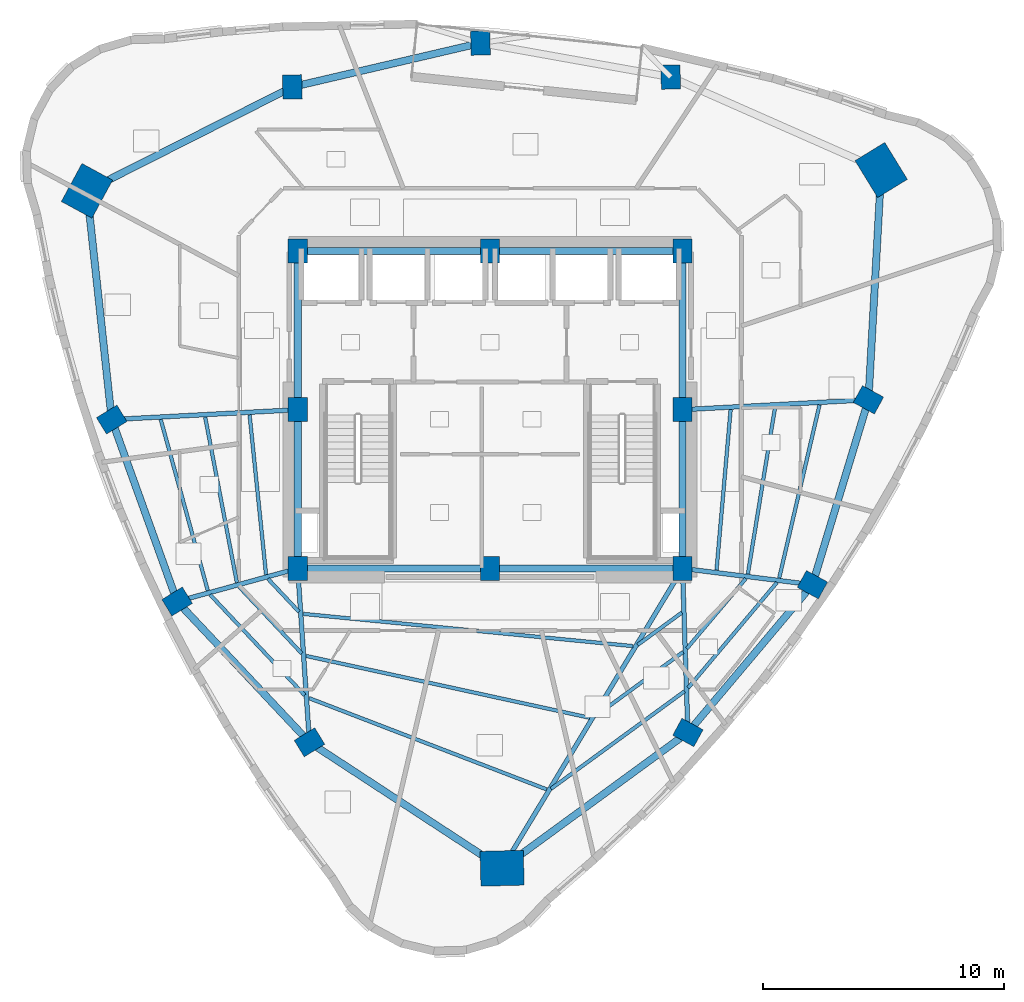
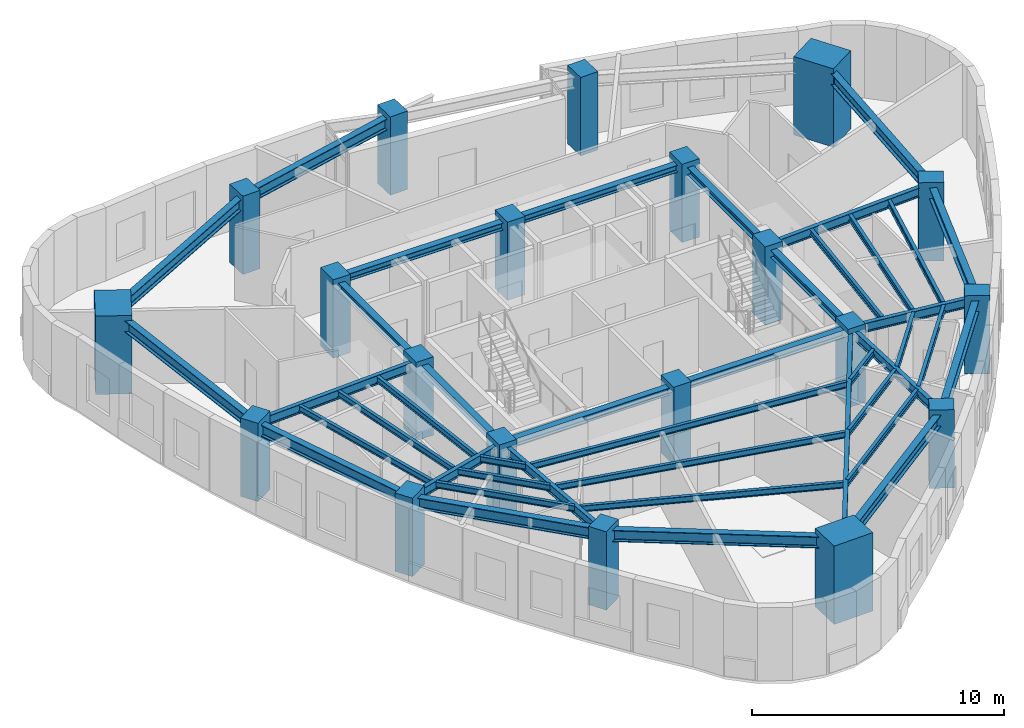
# One storey, part 1 of 11: 42 beams, 20 columns.
"""IFC4 building model written with IfcOpenShell, lengths in metres."""

from ifc_helpers import new_model, si_unit, direction, frame, origin, origin_2d, place, context, subcontext, project, spatial, rectangle, i_section, extrude, material, material_profile, profile_set, type_object, element, save


model = new_model("IFC4")

# Units and contexts
model_context = context("Model", 3, precision=1e-05, world=origin(), true_north=direction((0.0, 1.0)))
body_context = subcontext(model_context, "Body", "Model", "MODEL_VIEW")
ifc_project = project(units=[si_unit("LENGTHUNIT", "METRE"), si_unit("AREAUNIT", "SQUARE_METRE"), si_unit("VOLUMEUNIT", "CUBIC_METRE"), si_unit("PLANEANGLEUNIT", "RADIAN"), si_unit("MASSUNIT", "GRAM", prefix="KILO")], contexts=[model_context])

# Site, building, storey
site_placement = place(None, origin())
site = spatial("IfcSite", under=ifc_project, at=site_placement, CompositionType="ELEMENT")
building_placement = place(site_placement, origin())
building = spatial("IfcBuilding", under=site, at=building_placement, Name="Ndelora Gate Hotel", CompositionType="ELEMENT")
storey_placement = place(building_placement, frame((0.0, 0.0, 186.550048828125)))
storey = spatial("IfcBuildingStorey", under=building, at=storey_placement, Name="L46", CompositionType="ELEMENT", Elevation=186.550048828125)

# Columns
ifc_material_1 = material(Name="Concrete C50/60", Category="concrete")
ifc_material_profile_1 = material_profile(ifc_material_1, rectangle(XDim=0.800048828125, YDim=1.0, at=origin_2d()), Name="RC 1000x800")
ifc_profile_set_1 = profile_set([ifc_material_profile_1], Name="Concrete C50/60")
column_type_1 = type_object("IfcColumnType", Name="COL-CC-HI", PredefinedType="COLUMN", material=ifc_profile_set_1)
for number, where, z_axis, x_axis, name in (
    (1, (-8.0, -6.60009765625, 0.0), (0.0, 0.0, 1.0), (1.0, 0.0, 0.0), "L46 Core Column CC1"),
    (2, (0.0, -6.60009765625, 0.0), (0.0, 0.0, 1.0), (1.0, 0.0, 0.0), "L46 Core Column CC2"),
    (3, (8.0, -6.60009765625, 0.0), (0.0, 0.0, 1.0), (1.0, 0.0, 0.0), "L46 Core Column CC3"),
    (4, (8.0, 0.0, 0.0), (0.0, 0.0, 1.0), (1.0, 0.0, 0.0), "L46 Core Column CC4"),
    (5, (8.0, 6.60009765625, 0.0), (0.0, 0.0, 1.0), (1.0, 0.0, 0.0), "L46 Core Column CC5"),
    (6, (0.0, 6.60009765625, 0.0), (0.0, 0.0, 1.0), (1.0, 0.0, 0.0), "L46 Core Column CC6"),
    (7, (-8.0, 6.60009765625, 0.0), (0.0, 0.0, 1.0), (1.0, 0.0, 0.0), "L46 Core Column CC7"),
    (8, (-8.0, 0.0, 0.0), (0.0, 0.0, 1.0), (1.0, 0.0, 0.0), "L46 Core Column CC8"),
):
    element("IfcColumn", number, at=place(storey_placement, frame(where, z_axis=z_axis, x_axis=x_axis)), inside=storey, type_object=column_type_1, Name=name, PredefinedType="COLUMN", context=body_context, shape_type="SweptSolid", body=[
        extrude(rectangle(XDim=0.800048828125, YDim=1.0, at=origin_2d()), origin(), (0.0, 0.0, 1.0), 3.800048828125),
    ])
ifc_material_profile_2 = material_profile(ifc_material_1, rectangle(XDim=1.449951171875, YDim=1.800048828125, at=origin_2d()), Name="RC 1800x1450")
ifc_profile_set_2 = profile_set([ifc_material_profile_2], Name="Concrete C50/60")
column_type_2 = type_object("IfcColumnType", Name="COL-MC-Z3", PredefinedType="COLUMN", material=ifc_profile_set_2)
for number, where, z_axis, x_axis, name in (
    (9, (-16.759521484375, 9.099609375, 0.0), (0.0, 0.0, 1.0), (-0.878817112662, 0.47715876026, 0.0), "L46 Corner Mega-Column R1"),
    (10, (0.499267578125, -19.064208984375, 0.0), (0.0, 0.0, 1.0), (-0.026176948308, 0.999657324976, 0.0), "L46 Corner Mega-Column R5"),
    (11, (16.26025390625, 9.96435546875, 0.0), (0.0, 0.0, 1.0), (0.852640164354, 0.522498564716, 0.0), "L46 Corner Mega-Column R9"),
):
    element("IfcColumn", number, at=place(storey_placement, frame(where, z_axis=z_axis, x_axis=x_axis)), inside=storey, type_object=column_type_2, Name=name, PredefinedType="COLUMN", context=body_context, shape_type="SweptSolid", body=[
        extrude(rectangle(XDim=1.449951171875, YDim=1.800048828125, at=origin_2d()), origin(), (0.0, 0.0, 1.0), 3.800048828125),
    ])
ifc_material_profile_3 = material_profile(ifc_material_1, rectangle(XDim=0.800048828125, YDim=1.0, at=origin_2d()), Name="RC 1000x800")
ifc_profile_set_3 = profile_set([ifc_material_profile_3], Name="Concrete C50/60")
column_type_3 = type_object("IfcColumnType", Name="COL-PT-Z3", PredefinedType="COLUMN", material=ifc_profile_set_3)
for number, where, z_axis, x_axis, name in (
    (12, (-15.72998046875, -0.411865234375, 0.0), (0.0, 0.0, 1.0), (-0.522498564716, 0.852640164354, 0.0), "L46 Perimeter Tube Column R2"),
    (13, (-13.011962890625, -7.973876953125, 0.0), (0.0, 0.0, 1.0), (-0.522498564716, 0.852640164354, 0.0), "L46 Perimeter Tube Column R3"),
    (14, (-7.50830078125, -13.828369140625, 0.0), (0.0, 0.0, 1.0), (-0.522498564716, 0.852640164354, 0.0), "L46 Perimeter Tube Column R4"),
    (15, (8.223876953125, -13.419921875, 0.0), (0.0, 0.0, 1.0), (0.47715876026, 0.878817112662, 0.0), "L46 Perimeter Tube Column R6"),
    (16, (13.400390625, -7.275634765625, 0.0), (0.0, 0.0, 1.0), (0.47715876026, 0.878817112662, 0.0), "L46 Perimeter Tube Column R7"),
    (17, (15.72998046875, 0.411865234375, 0.0), (0.0, 0.0, 1.0), (0.47715876026, 0.878817112662, 0.0), "L46 Perimeter Tube Column R8"),
    (18, (7.50830078125, 13.828369140625, 0.0), (0.0, 0.0, 1.0), (0.999657324976, 0.026176948308, 0.0), "L46 Perimeter Tube Column R10"),
    (19, (-0.399169921875, 15.242919921875, 0.0), (0.0, 0.0, 1.0), (0.999657324976, 0.026176948308, 0.0), "L46 Perimeter Tube Column R11"),
    (20, (-8.2216796875, 13.41650390625, 0.0), (0.0, 0.0, 1.0), (0.999657324976, 0.026176948308, 0.0), "L46 Perimeter Tube Column R12"),
):
    element("IfcColumn", number, at=place(storey_placement, frame(where, z_axis=z_axis, x_axis=x_axis)), inside=storey, type_object=column_type_3, Name=name, PredefinedType="COLUMN", context=body_context, shape_type="SweptSolid", body=[
        extrude(rectangle(XDim=0.800048828125, YDim=1.0, at=origin_2d()), origin(), (0.0, 0.0, 1.0), 3.800048828125),
    ])

# Beams
ifc_material_2 = material(Name="Steel S355", Category="steel")
ifc_material_profile_4 = material_profile(ifc_material_2, i_section(OverallWidth=0.300048828125, OverallDepth=0.35009765625, WebThickness=0.010009765625, FlangeThickness=0.017578125, FilletRadius=0.027099609375, at=origin_2d()), Name="HEA 360")
ifc_profile_set_4 = profile_set([ifc_material_profile_4], Name="Steel S355")
beam_type_1 = type_object("IfcBeamType", Name="BM-CORE-350", PredefinedType="BEAM", material=ifc_profile_set_4)
for number, where, z_axis, x_axis, name in (
    (21, (-8.0, 6.60009765625, 3.375), (1.0, 0.0, 0.0), (0.0, 1.0, 0.0), "L46 Core Tie Girder CC7-CC6"),
    (22, (0.0, 6.60009765625, 3.375), (1.0, 0.0, 0.0), (0.0, 1.0, 0.0), "L46 Core Tie Girder CC6-CC5"),
):
    element("IfcBeam", number, at=place(storey_placement, frame(where, z_axis=z_axis, x_axis=x_axis)), inside=storey, type_object=beam_type_1, Name=name, PredefinedType="BEAM", context=body_context, shape_type="SweptSolid", body=[
        extrude(i_section(OverallWidth=0.300048828125, OverallDepth=0.35009765625, WebThickness=0.010009765625, FlangeThickness=0.017578125, FilletRadius=0.027099609375, at=origin_2d()), origin(), (0.0, 0.0, 1.0), 8.0),
    ])
for number, where, z_axis, x_axis, name in (
    (23, (-8.0, -6.60009765625, 3.375), (0.0, 1.0, 0.0), (-1.0, 0.0, 0.0), "L46 Core Tie Girder CC1-CC8"),
    (24, (-8.0, 0.0, 3.375), (0.0, 1.0, 0.0), (-1.0, 0.0, 0.0), "L46 Core Tie Girder CC8-CC7"),
    (25, (8.0, -6.60009765625, 3.375), (0.0, 1.0, 0.0), (-1.0, 0.0, 0.0), "L46 Core Tie Girder CC3-CC4"),
    (26, (8.0, 0.0, 3.375), (0.0, 1.0, 0.0), (-1.0, 0.0, 0.0), "L46 Core Tie Girder CC4-CC5"),
):
    element("IfcBeam", number, at=place(storey_placement, frame(where, z_axis=z_axis, x_axis=x_axis)), inside=storey, type_object=beam_type_1, Name=name, PredefinedType="BEAM", context=body_context, shape_type="SweptSolid", body=[
        extrude(i_section(OverallWidth=0.300048828125, OverallDepth=0.35009765625, WebThickness=0.010009765625, FlangeThickness=0.017578125, FilletRadius=0.027099609375, at=origin_2d()), origin(), (0.0, 0.0, 1.0), 6.60009765625),
    ])
for number, where, z_axis, x_axis, name in (
    (27, (-8.0, -6.60009765625, 3.375), (1.0, 0.0, 0.0), (0.0, 1.0, 0.0), "L46 Core Tie Girder CC1-CC2"),
    (28, (0.0, -6.60009765625, 3.375), (1.0, 0.0, 0.0), (0.0, 1.0, 0.0), "L46 Core Tie Girder CC2-CC3"),
):
    element("IfcBeam", number, at=place(storey_placement, frame(where, z_axis=z_axis, x_axis=x_axis)), inside=storey, type_object=beam_type_1, Name=name, PredefinedType="BEAM", context=body_context, shape_type="SweptSolid", body=[
        extrude(i_section(OverallWidth=0.300048828125, OverallDepth=0.35009765625, WebThickness=0.010009765625, FlangeThickness=0.017578125, FilletRadius=0.027099609375, at=origin_2d()), origin(), (0.0, 0.0, 1.0), 8.0),
    ])
ifc_material_profile_5 = material_profile(ifc_material_2, i_section(OverallWidth=0.14990234375, OverallDepth=0.300048828125, WebThickness=0.007080078125, FlangeThickness=0.0107421875, FilletRadius=0.014892578125, at=origin_2d()), Name="IPE 300")
ifc_profile_set_5 = profile_set([ifc_material_profile_5], Name="Steel S355")
beam_type_2 = type_object("IfcBeamType", Name="BM-JST-300", PredefinedType="JOIST", material=ifc_profile_set_5)
beam_1_placement = place(storey_placement, frame((-9.9990234375, -0.21142578125, 3.39990234375), z_axis=(0.10260596827, -0.994722079415, 0.0), x_axis=(0.994722079415, 0.10260596827, 0.0)))
element("IfcBeam", 29, at=beam_1_placement, inside=storey, type_object=beam_type_2, Name="L46 Secondary Composite Floor Joist IN-2", PredefinedType="JOIST", context=body_context, shape_type="SweptSolid", body=[
    extrude(i_section(OverallWidth=0.14990234375, OverallDepth=0.300048828125, WebThickness=0.007080078125, FlangeThickness=0.0107421875, FilletRadius=0.014892578125, at=origin_2d()), origin(), (0.0, 0.0, 1.0), 6.676513671875),
])
beam_2_placement = place(storey_placement, frame((-11.84521484375, -0.30908203125, 3.39990234375), z_axis=(0.188470955684, -0.982078764083, 0.0), x_axis=(0.982078764083, 0.188470955684, 0.0)))
element("IfcBeam", 30, at=beam_2_placement, inside=storey, type_object=beam_type_2, Name="L46 Secondary Composite Floor Joist MID-2", PredefinedType="JOIST", context=body_context, shape_type="SweptSolid", body=[
    extrude(i_section(OverallWidth=0.14990234375, OverallDepth=0.300048828125, WebThickness=0.007080078125, FlangeThickness=0.0107421875, FilletRadius=0.014892578125, at=origin_2d()), origin(), (0.0, 0.0, 1.0), 7.000244140625),
])
beam_3_placement = place(storey_placement, frame((-13.6923828125, -0.406005859375, 3.39990234375), z_axis=(0.2652180483, -0.964188460238, 0.0), x_axis=(0.964188460238, 0.2652180483, 0.0)))
element("IfcBeam", 31, at=beam_3_placement, inside=storey, type_object=beam_type_2, Name="L46 Secondary Composite Floor Joist OUT-2", PredefinedType="JOIST", context=body_context, shape_type="SweptSolid", body=[
    extrude(i_section(OverallWidth=0.14990234375, OverallDepth=0.300048828125, WebThickness=0.007080078125, FlangeThickness=0.0107421875, FilletRadius=0.014892578125, at=origin_2d()), origin(), (0.0, 0.0, 1.0), 7.37353515625),
])
beam_4_placement = place(storey_placement, frame((-9.231201171875, -7.03369140625, 3.39990234375), z_axis=(0.684943115963, -0.728596546722, 0.0), x_axis=(0.728596546722, 0.684943115963, 0.0)))
element("IfcBeam", 32, at=beam_4_placement, inside=storey, type_object=beam_type_2, Name="L46 Secondary Composite Floor Joist IN-3", PredefinedType="JOIST", context=body_context, shape_type="SweptSolid", body=[
    extrude(i_section(OverallWidth=0.14990234375, OverallDepth=0.300048828125, WebThickness=0.007080078125, FlangeThickness=0.0107421875, FilletRadius=0.014892578125, at=origin_2d()), origin(), (0.0, 0.0, 1.0), 1.879150390625),
])
beam_5_placement = place(storey_placement, frame((-10.43408203125, -7.36328125, 3.39990234375), z_axis=(0.684938600536, -0.728600791584, 0.0), x_axis=(0.728600791584, 0.684938600536, 0.0)))
element("IfcBeam", 33, at=beam_5_placement, inside=storey, type_object=beam_type_2, Name="L46 Secondary Composite Floor Joist MID-3", PredefinedType="JOIST", context=body_context, shape_type="SweptSolid", body=[
    extrude(i_section(OverallWidth=0.14990234375, OverallDepth=0.300048828125, WebThickness=0.007080078125, FlangeThickness=0.0107421875, FilletRadius=0.014892578125, at=origin_2d()), origin(), (0.0, 0.0, 1.0), 3.807861328125),
])
beam_6_placement = place(storey_placement, frame((-11.636962890625, -7.693115234375, 3.39990234375), z_axis=(0.68493576734, -0.728603454986, 0.0), x_axis=(0.728603454986, 0.68493576734, 0.0)))
element("IfcBeam", 34, at=beam_6_placement, inside=storey, type_object=beam_type_2, Name="L46 Secondary Composite Floor Joist OUT-3", PredefinedType="JOIST", context=body_context, shape_type="SweptSolid", body=[
    extrude(i_section(OverallWidth=0.14990234375, OverallDepth=0.300048828125, WebThickness=0.007080078125, FlangeThickness=0.0107421875, FilletRadius=0.014892578125, at=origin_2d()), origin(), (0.0, 0.0, 1.0), 5.736328125),
])
beam_7_placement = place(storey_placement, frame((-7.767578125, -8.489501953125, 3.39990234375), z_axis=(0.995253727902, -0.097314012848, 0.0), x_axis=(0.097314012848, 0.995253727902, 0.0)))
element("IfcBeam", 35, at=beam_7_placement, inside=storey, type_object=beam_type_2, Name="L46 Secondary Composite Floor Joist IN-4", PredefinedType="JOIST", context=body_context, shape_type="SweptSolid", body=[
    extrude(i_section(OverallWidth=0.14990234375, OverallDepth=0.300048828125, WebThickness=0.007080078125, FlangeThickness=0.0107421875, FilletRadius=0.014892578125, at=origin_2d()), origin(), (0.0, 0.0, 1.0), 13.7783203125),
])
beam_8_placement = place(storey_placement, frame((-7.651611328125, -10.236572265625, 3.39990234375), z_axis=(0.977032906758, -0.213088477191, 0.0), x_axis=(0.213088477191, 0.977032906758, 0.0)))
element("IfcBeam", 36, at=beam_8_placement, inside=storey, type_object=beam_type_2, Name="L46 Secondary Composite Floor Joist MID-4", PredefinedType="JOIST", context=body_context, shape_type="SweptSolid", body=[
    extrude(i_section(OverallWidth=0.14990234375, OverallDepth=0.300048828125, WebThickness=0.007080078125, FlangeThickness=0.0107421875, FilletRadius=0.014892578125, at=origin_2d()), origin(), (0.0, 0.0, 1.0), 12.075927734375),
])
beam_9_placement = place(storey_placement, frame((-7.5380859375, -11.98681640625, 3.39990234375), z_axis=(0.933489266504, -0.358605339227, 0.0), x_axis=(0.358605339227, 0.933489266504, 0.0)))
element("IfcBeam", 37, at=beam_9_placement, inside=storey, type_object=beam_type_2, Name="L46 Secondary Composite Floor Joist OUT-4", PredefinedType="JOIST", context=body_context, shape_type="SweptSolid", body=[
    extrude(i_section(OverallWidth=0.14990234375, OverallDepth=0.300048828125, WebThickness=0.007080078125, FlangeThickness=0.0107421875, FilletRadius=0.014892578125, at=origin_2d()), origin(), (0.0, 0.0, 1.0), 10.593994140625),
])
beam_10_placement = place(storey_placement, frame((6.134521484375, -9.77880859375, 3.39990234375), z_axis=(0.80739897839, 0.590005838696, 0.0), x_axis=(-0.590005838696, 0.80739897839, 0.0)))
element("IfcBeam", 38, at=beam_10_placement, inside=storey, type_object=beam_type_2, Name="L46 Secondary Composite Floor Joist IN-5", PredefinedType="JOIST", context=body_context, shape_type="SweptSolid", body=[
    extrude(i_section(OverallWidth=0.14990234375, OverallDepth=0.300048828125, WebThickness=0.007080078125, FlangeThickness=0.0107421875, FilletRadius=0.014892578125, at=origin_2d()), origin(), (0.0, 0.0, 1.0), 2.277587890625),
])
beam_11_placement = place(storey_placement, frame((4.33447265625, -12.77001953125, 3.39990234375), z_axis=(0.807439047151, 0.589951002318, 0.0), x_axis=(-0.589951002318, 0.807439047151, 0.0)))
element("IfcBeam", 39, at=beam_11_placement, inside=storey, type_object=beam_type_2, Name="L46 Secondary Composite Floor Joist MID-5", PredefinedType="JOIST", context=body_context, shape_type="SweptSolid", body=[
    extrude(i_section(OverallWidth=0.14990234375, OverallDepth=0.300048828125, WebThickness=0.007080078125, FlangeThickness=0.0107421875, FilletRadius=0.014892578125, at=origin_2d()), origin(), (0.0, 0.0, 1.0), 4.5732421875),
])
beam_12_placement = place(storey_placement, frame((2.5341796875, -15.761474609375, 3.39990234375), z_axis=(0.807430841486, 0.589962232874, 0.0), x_axis=(-0.589962232874, 0.807430841486, 0.0)))
element("IfcBeam", 40, at=beam_12_placement, inside=storey, type_object=beam_type_2, Name="L46 Secondary Composite Floor Joist OUT-5", PredefinedType="JOIST", context=body_context, shape_type="SweptSolid", body=[
    extrude(i_section(OverallWidth=0.14990234375, OverallDepth=0.300048828125, WebThickness=0.007080078125, FlangeThickness=0.0107421875, FilletRadius=0.014892578125, at=origin_2d()), origin(), (0.0, 0.0, 1.0), 6.869384765625),
])
beam_13_placement = place(storey_placement, frame((8.1796875, -9.9296875, 3.39990234375), z_axis=(0.644319387893, 0.764756514444, 0.0), x_axis=(-0.764756514444, 0.644319387893, 0.0)))
element("IfcBeam", 41, at=beam_13_placement, inside=storey, type_object=beam_type_2, Name="L46 Secondary Composite Floor Joist MID-6", PredefinedType="JOIST", context=body_context, shape_type="SweptSolid", body=[
    extrude(i_section(OverallWidth=0.14990234375, OverallDepth=0.300048828125, WebThickness=0.007080078125, FlangeThickness=0.0107421875, FilletRadius=0.014892578125, at=origin_2d()), origin(), (0.0, 0.0, 1.0), 3.806884765625),
])
beam_14_placement = place(storey_placement, frame((8.2333984375, -11.56640625, 3.39990234375), z_axis=(0.644324492463, 0.764752213735, 0.0), x_axis=(-0.764752213735, 0.644324492463, 0.0)))
element("IfcBeam", 42, at=beam_14_placement, inside=storey, type_object=beam_type_2, Name="L46 Secondary Composite Floor Joist OUT-6", PredefinedType="JOIST", context=body_context, shape_type="SweptSolid", body=[
    extrude(i_section(OverallWidth=0.14990234375, OverallDepth=0.300048828125, WebThickness=0.007080078125, FlangeThickness=0.0107421875, FilletRadius=0.014892578125, at=origin_2d()), origin(), (0.0, 0.0, 1.0), 5.735107421875),
])
beam_15_placement = place(storey_placement, frame((9.413330078125, -6.671142578125, 3.39990234375), z_axis=(0.087643872384, 0.996151871771, 0.0), x_axis=(-0.996151871771, 0.087643872384, 0.0)))
element("IfcBeam", 43, at=beam_15_placement, inside=storey, type_object=beam_type_2, Name="L46 Secondary Composite Floor Joist IN-7", PredefinedType="JOIST", context=body_context, shape_type="SweptSolid", body=[
    extrude(i_section(OverallWidth=0.14990234375, OverallDepth=0.300048828125, WebThickness=0.007080078125, FlangeThickness=0.0107421875, FilletRadius=0.014892578125, at=origin_2d()), origin(), (0.0, 0.0, 1.0), 6.699462890625),
])
beam_16_placement = place(storey_placement, frame((10.717041015625, -6.834228515625, 3.39990234375), z_axis=(0.160939239626, 0.986964316046, 0.0), x_axis=(-0.986964316046, 0.160939239626, 0.0)))
element("IfcBeam", 44, at=beam_16_placement, inside=storey, type_object=beam_type_2, Name="L46 Secondary Composite Floor Joist MID-7", PredefinedType="JOIST", context=body_context, shape_type="SweptSolid", body=[
    extrude(i_section(OverallWidth=0.14990234375, OverallDepth=0.300048828125, WebThickness=0.007080078125, FlangeThickness=0.0107421875, FilletRadius=0.014892578125, at=origin_2d()), origin(), (0.0, 0.0, 1.0), 7.028076171875),
])
beam_17_placement = place(storey_placement, frame((12.02001953125, -6.997802734375, 3.39990234375), z_axis=(0.22674518397, 0.973954116756, 0.0), x_axis=(-0.973954116756, 0.22674518397, 0.0)))
element("IfcBeam", 45, at=beam_17_placement, inside=storey, type_object=beam_type_2, Name="L46 Secondary Composite Floor Joist OUT-7", PredefinedType="JOIST", context=body_context, shape_type="SweptSolid", body=[
    extrude(i_section(OverallWidth=0.14990234375, OverallDepth=0.300048828125, WebThickness=0.007080078125, FlangeThickness=0.0107421875, FilletRadius=0.014892578125, at=origin_2d()), origin(), (0.0, 0.0, 1.0), 7.392822265625),
])
ifc_material_profile_6 = material_profile(ifc_material_2, i_section(OverallWidth=0.18994140625, OverallDepth=0.449951171875, WebThickness=0.009521484375, FlangeThickness=0.0146484375, FilletRadius=0.02099609375, at=origin_2d()), Name="IPE 450")
ifc_profile_set_6 = profile_set([ifc_material_profile_6], Name="Steel S355")
beam_type_3 = type_object("IfcBeamType", Name="BM-RAD-450", PredefinedType="BEAM", material=ifc_profile_set_6)
beam_18_placement = place(storey_placement, frame((-8.0, 0.0, 3.324951171875), z_axis=(-0.998583554121, -0.053206065814, 0.0), x_axis=(0.053206065814, -0.998583554121, 0.0)))
element("IfcBeam", 46, at=beam_18_placement, inside=storey, type_object=beam_type_3, Name="L46 Radial Floor Girder 2", PredefinedType="BEAM", context=body_context, shape_type="SweptSolid", body=[
    extrude(i_section(OverallWidth=0.18994140625, OverallDepth=0.449951171875, WebThickness=0.009521484375, FlangeThickness=0.0146484375, FilletRadius=0.02099609375, at=origin_2d()), origin(), (0.0, 0.0, 1.0), 7.740966796875),
])
beam_19_placement = place(storey_placement, frame((-8.0, -6.60009765625, 3.324951171875), z_axis=(-0.96442695542, -0.264349480157, 0.0), x_axis=(0.264349480157, -0.96442695542, 0.0)))
element("IfcBeam", 47, at=beam_19_placement, inside=storey, type_object=beam_type_3, Name="L46 Radial Floor Girder 3", PredefinedType="BEAM", context=body_context, shape_type="SweptSolid", body=[
    extrude(i_section(OverallWidth=0.18994140625, OverallDepth=0.449951171875, WebThickness=0.009521484375, FlangeThickness=0.0146484375, FilletRadius=0.02099609375, at=origin_2d()), origin(), (0.0, 0.0, 1.0), 5.19677734375),
])
beam_20_placement = place(storey_placement, frame((-8.0, -6.60009765625, 3.324951171875), z_axis=(0.067867612113, -0.997694335569, 0.0), x_axis=(0.997694335569, 0.067867612113, 0.0)))
element("IfcBeam", 48, at=beam_20_placement, inside=storey, type_object=beam_type_3, Name="L46 Radial Floor Girder 4", PredefinedType="BEAM", context=body_context, shape_type="SweptSolid", body=[
    extrude(i_section(OverallWidth=0.18994140625, OverallDepth=0.449951171875, WebThickness=0.009521484375, FlangeThickness=0.0146484375, FilletRadius=0.02099609375, at=origin_2d()), origin(), (0.0, 0.0, 1.0), 7.244873046875),
])
beam_21_placement = place(storey_placement, frame((8.0, -6.60009765625, 3.324951171875), z_axis=(-0.515620753203, -0.856816922607, 0.0), x_axis=(0.856816922607, -0.515620753203, 0.0)))
element("IfcBeam", 49, at=beam_21_placement, inside=storey, type_object=beam_type_3, Name="L46 Radial Floor Girder 5", PredefinedType="BEAM", context=body_context, shape_type="SweptSolid", body=[
    extrude(i_section(OverallWidth=0.18994140625, OverallDepth=0.449951171875, WebThickness=0.009521484375, FlangeThickness=0.0146484375, FilletRadius=0.02099609375, at=origin_2d()), origin(), (0.0, 0.0, 1.0), 14.546875),
])
beam_22_placement = place(storey_placement, frame((8.0, -6.60009765625, 3.324951171875), z_axis=(0.032809705109, -0.999461616697, 0.0), x_axis=(0.999461616697, 0.032809705109, 0.0)))
element("IfcBeam", 50, at=beam_22_placement, inside=storey, type_object=beam_type_3, Name="L46 Radial Floor Girder 6", PredefinedType="BEAM", context=body_context, shape_type="SweptSolid", body=[
    extrude(i_section(OverallWidth=0.18994140625, OverallDepth=0.449951171875, WebThickness=0.009521484375, FlangeThickness=0.0146484375, FilletRadius=0.02099609375, at=origin_2d()), origin(), (0.0, 0.0, 1.0), 6.823486328125),
])
beam_23_placement = place(storey_placement, frame((8.0, -6.60009765625, 3.324951171875), z_axis=(0.992266830725, -0.124123070552, 0.0), x_axis=(0.124123070552, 0.992266830725, 0.0)))
element("IfcBeam", 51, at=beam_23_placement, inside=storey, type_object=beam_type_3, Name="L46 Radial Floor Girder 7", PredefinedType="BEAM", context=body_context, shape_type="SweptSolid", body=[
    extrude(i_section(OverallWidth=0.18994140625, OverallDepth=0.449951171875, WebThickness=0.009521484375, FlangeThickness=0.0146484375, FilletRadius=0.02099609375, at=origin_2d()), origin(), (0.0, 0.0, 1.0), 5.4423828125),
])
beam_24_placement = place(storey_placement, frame((8.0, 0.0, 3.324951171875), z_axis=(0.998583554121, 0.053206065814, 0.0), x_axis=(-0.053206065814, 0.998583554121, 0.0)))
element("IfcBeam", 52, at=beam_24_placement, inside=storey, type_object=beam_type_3, Name="L46 Radial Floor Girder 8", PredefinedType="BEAM", context=body_context, shape_type="SweptSolid", body=[
    extrude(i_section(OverallWidth=0.18994140625, OverallDepth=0.449951171875, WebThickness=0.009521484375, FlangeThickness=0.0146484375, FilletRadius=0.02099609375, at=origin_2d()), origin(), (0.0, 0.0, 1.0), 7.740966796875),
])
ifc_material_profile_7 = material_profile(ifc_material_2, i_section(OverallWidth=0.300048828125, OverallDepth=0.550048828125, WebThickness=0.014892578125, FlangeThickness=0.029052734375, FilletRadius=0.027099609375, at=origin_2d()), Name="HEB 550")
ifc_profile_set_7 = profile_set([ifc_material_profile_7], Name="Steel S355")
beam_type_4 = type_object("IfcBeamType", Name="BM-RING-550", PredefinedType="SPANDREL", material=ifc_profile_set_7)
beam_25_placement = place(storey_placement, frame((-16.759521484375, 9.099609375, 3.27490234375), z_axis=(0.107613416645, -0.994192814578, 0.0), x_axis=(0.994192814578, 0.107613416645, 0.0)))
element("IfcBeam", 53, at=beam_25_placement, inside=storey, type_object=beam_type_4, Name="L46 Perimeter Spandrel Girder 1", PredefinedType="SPANDREL", context=body_context, shape_type="SweptSolid", body=[
    extrude(i_section(OverallWidth=0.300048828125, OverallDepth=0.550048828125, WebThickness=0.014892578125, FlangeThickness=0.029052734375, FilletRadius=0.027099609375, at=origin_2d()), origin(), (0.0, 0.0, 1.0), 9.567138671875),
])
beam_26_placement = place(storey_placement, frame((-15.72998046875, -0.411865234375, 3.27490234375), z_axis=(0.338244972382, -0.941058095262, 0.0), x_axis=(0.941058095262, 0.338244972382, 0.0)))
element("IfcBeam", 54, at=beam_26_placement, inside=storey, type_object=beam_type_4, Name="L46 Perimeter Spandrel Girder 2", PredefinedType="SPANDREL", context=body_context, shape_type="SweptSolid", body=[
    extrude(i_section(OverallWidth=0.300048828125, OverallDepth=0.550048828125, WebThickness=0.014892578125, FlangeThickness=0.029052734375, FilletRadius=0.027099609375, at=origin_2d()), origin(), (0.0, 0.0, 1.0), 8.03564453125),
])
beam_27_placement = place(storey_placement, frame((-13.011962890625, -7.973876953125, 3.27490234375), z_axis=(0.684939043371, -0.728600375285, 0.0), x_axis=(0.728600375285, 0.684939043371, 0.0)))
element("IfcBeam", 55, at=beam_27_placement, inside=storey, type_object=beam_type_4, Name="L46 Perimeter Spandrel Girder 3", PredefinedType="SPANDREL", context=body_context, shape_type="SweptSolid", body=[
    extrude(i_section(OverallWidth=0.300048828125, OverallDepth=0.550048828125, WebThickness=0.014892578125, FlangeThickness=0.029052734375, FilletRadius=0.027099609375, at=origin_2d()), origin(), (0.0, 0.0, 1.0), 8.03515625),
])
beam_28_placement = place(storey_placement, frame((-7.50830078125, -13.828369140625, 3.27490234375), z_axis=(0.836963769915, -0.547258300851, 0.0), x_axis=(0.547258300851, 0.836963769915, 0.0)))
element("IfcBeam", 56, at=beam_28_placement, inside=storey, type_object=beam_type_4, Name="L46 Perimeter Spandrel Girder 4", PredefinedType="SPANDREL", context=body_context, shape_type="SweptSolid", body=[
    extrude(i_section(OverallWidth=0.300048828125, OverallDepth=0.550048828125, WebThickness=0.014892578125, FlangeThickness=0.029052734375, FilletRadius=0.027099609375, at=origin_2d()), origin(), (0.0, 0.0, 1.0), 9.5673828125),
])
beam_29_placement = place(storey_placement, frame((0.499267578125, -19.064208984375, 3.27490234375), z_axis=(0.807421980226, 0.58997436033, 0.0), x_axis=(-0.58997436033, 0.807421980226, 0.0)))
element("IfcBeam", 57, at=beam_29_placement, inside=storey, type_object=beam_type_4, Name="L46 Perimeter Spandrel Girder 5", PredefinedType="SPANDREL", context=body_context, shape_type="SweptSolid", body=[
    extrude(i_section(OverallWidth=0.300048828125, OverallDepth=0.550048828125, WebThickness=0.014892578125, FlangeThickness=0.029052734375, FilletRadius=0.027099609375, at=origin_2d()), origin(), (0.0, 0.0, 1.0), 9.56689453125),
])
beam_30_placement = place(storey_placement, frame((8.223876953125, -13.419921875, 3.27490234375), z_axis=(0.644308845181, 0.764765396721, 0.0), x_axis=(-0.764765396721, 0.644308845181, 0.0)))
element("IfcBeam", 58, at=beam_30_placement, inside=storey, type_object=beam_type_4, Name="L46 Perimeter Spandrel Girder 6", PredefinedType="SPANDREL", context=body_context, shape_type="SweptSolid", body=[
    extrude(i_section(OverallWidth=0.300048828125, OverallDepth=0.550048828125, WebThickness=0.014892578125, FlangeThickness=0.029052734375, FilletRadius=0.027099609375, at=origin_2d()), origin(), (0.0, 0.0, 1.0), 8.0341796875),
])
beam_31_placement = place(storey_placement, frame((13.400390625, -7.275634765625, 3.27490234375), z_axis=(0.290012456561, 0.957022870698, 0.0), x_axis=(-0.957022870698, 0.290012456561, 0.0)))
element("IfcBeam", 59, at=beam_31_placement, inside=storey, type_object=beam_type_4, Name="L46 Perimeter Spandrel Girder 7", PredefinedType="SPANDREL", context=body_context, shape_type="SweptSolid", body=[
    extrude(i_section(OverallWidth=0.300048828125, OverallDepth=0.550048828125, WebThickness=0.014892578125, FlangeThickness=0.029052734375, FilletRadius=0.027099609375, at=origin_2d()), origin(), (0.0, 0.0, 1.0), 8.03271484375),
])
beam_32_placement = place(storey_placement, frame((15.72998046875, 0.411865234375, 3.27490234375), z_axis=(0.055426206248, 0.998462786318, 0.0), x_axis=(-0.998462786318, 0.055426206248, 0.0)))
element("IfcBeam", 60, at=beam_32_placement, inside=storey, type_object=beam_type_4, Name="L46 Perimeter Spandrel Girder 8", PredefinedType="SPANDREL", context=body_context, shape_type="SweptSolid", body=[
    extrude(i_section(OverallWidth=0.300048828125, OverallDepth=0.550048828125, WebThickness=0.014892578125, FlangeThickness=0.029052734375, FilletRadius=0.027099609375, at=origin_2d()), origin(), (0.0, 0.0, 1.0), 9.567138671875),
])
beam_33_placement = place(storey_placement, frame((-0.399169921875, 15.242919921875, 3.27490234375), z_axis=(-0.973809142107, -0.227367004529, 0.0), x_axis=(0.227367004529, -0.973809142107, 0.0)))
element("IfcBeam", 61, at=beam_33_placement, inside=storey, type_object=beam_type_4, Name="L46 Perimeter Spandrel Girder 11", PredefinedType="SPANDREL", context=body_context, shape_type="SweptSolid", body=[
    extrude(i_section(OverallWidth=0.300048828125, OverallDepth=0.550048828125, WebThickness=0.014892578125, FlangeThickness=0.029052734375, FilletRadius=0.027099609375, at=origin_2d()), origin(), (0.0, 0.0, 1.0), 8.032958984375),
])
beam_34_placement = place(storey_placement, frame((-8.2216796875, 13.41650390625, 3.27490234375), z_axis=(-0.89241242978, -0.451220628045, 0.0), x_axis=(0.451220628045, -0.89241242978, 0.0)))
element("IfcBeam", 62, at=beam_34_placement, inside=storey, type_object=beam_type_4, Name="L46 Perimeter Spandrel Girder 12", PredefinedType="SPANDREL", context=body_context, shape_type="SweptSolid", body=[
    extrude(i_section(OverallWidth=0.300048828125, OverallDepth=0.550048828125, WebThickness=0.014892578125, FlangeThickness=0.029052734375, FilletRadius=0.027099609375, at=origin_2d()), origin(), (0.0, 0.0, 1.0), 9.567138671875),
])

save(model, "model.ifc")
